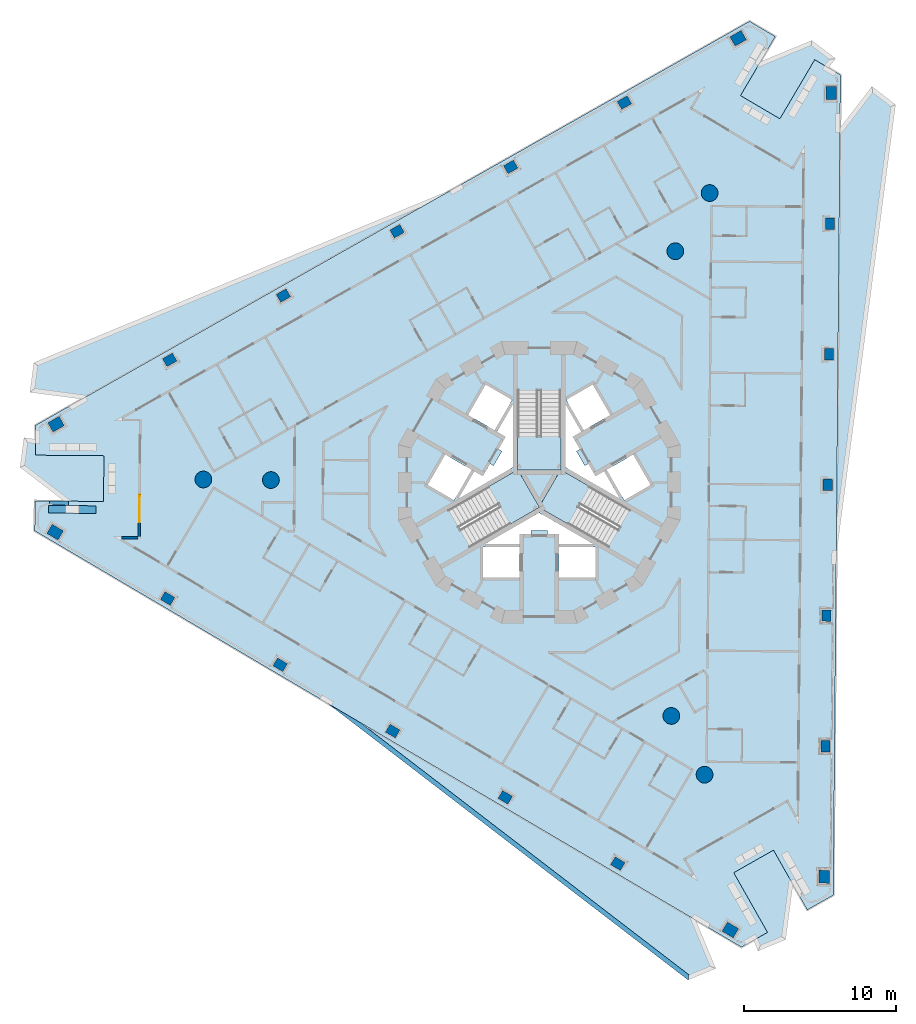
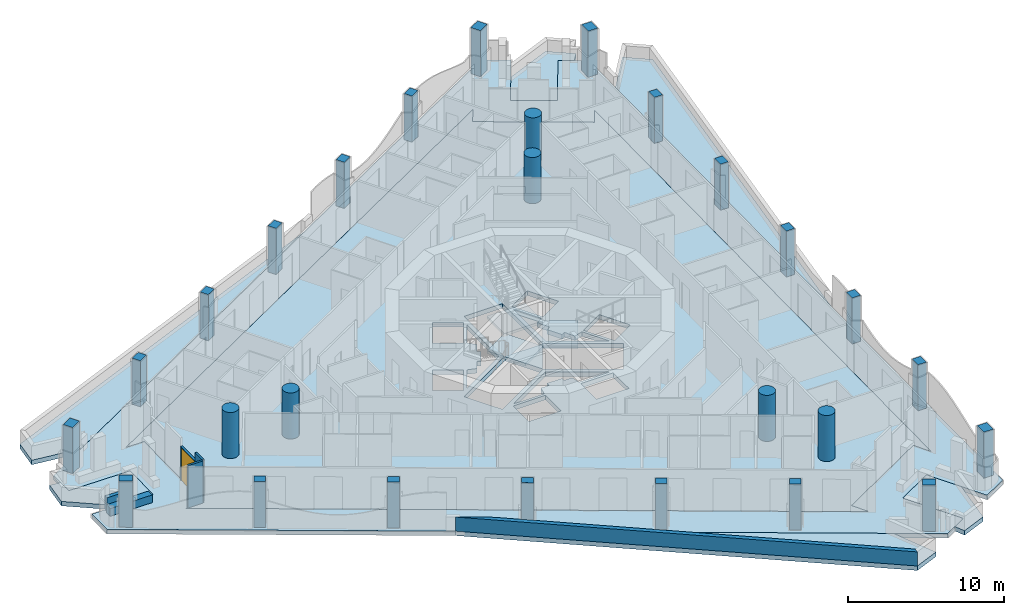
# One storey, part 1 of 18: 27 columns, 12 slabs, 6 walls, 1 door, 1 opening, 3 elements without a shape of their own.
"""IFC4 building model written with IfcOpenShell, lengths in metres."""

from ifc_helpers import new_model, si_unit, direction, frame, frame_2d, origin, origin_2d, place, context, subcontext, project, spatial, polyline, rectangle, circle, outline, extrude, material, layer, layer_set, material_profile, profile_set, type_object, element, fill, aggregate, save


model = new_model("IFC4")

# Units and contexts
model_context = context("Model", 3, precision=1e-05, world=origin(), true_north=direction((0.0, 1.0)))
body_context = subcontext(model_context, "Body", "Model", "MODEL_VIEW")
ifc_project = project(units=[si_unit("LENGTHUNIT", "METRE"), si_unit("AREAUNIT", "SQUARE_METRE"), si_unit("VOLUMEUNIT", "CUBIC_METRE"), si_unit("PLANEANGLEUNIT", "RADIAN"), si_unit("MASSUNIT", "GRAM", prefix="KILO")], contexts=[model_context])

# Site, building, storey
site_placement = place(None, origin())
site = spatial("IfcSite", under=ifc_project, at=site_placement, CompositionType="ELEMENT")
building_placement = place(site_placement, origin())
building = spatial("IfcBuilding", under=site, at=building_placement, Name="Trine Commons Tower", CompositionType="ELEMENT")
storey_placement = place(building_placement, frame((0.0, 0.0, 161.10009765625)))
storey = spatial("IfcBuildingStorey", under=building, at=storey_placement, Name="L41", CompositionType="ELEMENT", Elevation=161.10009765625)

# Columns
ifc_material_1 = material(Name="Concrete C60/75", Category="concrete")
ifc_material_profile_1 = material_profile(ifc_material_1, rectangle(XDim=0.75, YDim=0.60009765625, at=origin_2d()), Name="RC 750x600")
ifc_profile_set_1 = profile_set([ifc_material_profile_1], Name="Concrete C60/75")
column_type_1 = type_object("IfcColumnType", Name="RC column 750x600, C60/75", PredefinedType="COLUMN", material=ifc_profile_set_1)
for number, where, z_axis, x_axis, name in (
    (1, (85.15771484375, 37.483154296875, -0.35009765625), (0.0, 0.0, 1.0), (-0.861629160442, 0.507538362961, 0.0), "Column PC5-02 L41"),
    (2, (77.773193359375, 41.8330078125, -0.35009765625), (0.0, 0.0, 1.0), (-0.861629160442, 0.507538362961, 0.0), "Column PC5-03 L41"),
    (3, (70.388427734375, 46.182861328125, -0.35009765625), (0.0, 0.0, 1.0), (-0.861629160442, 0.507538362961, 0.0), "Column PC5-04 L41"),
    (4, (63.00390625, 50.53271484375, -0.35009765625), (0.0, 0.0, 1.0), (-0.861629160442, 0.507538362961, 0.0), "Column PC5-05 L41"),
    (5, (55.619140625, 54.8828125, -0.35009765625), (0.0, 0.0, 1.0), (-0.861629160442, 0.507538362961, 0.0), "Column PC5-06 L41"),
    (6, (55.755859375, 70.541748046875, -0.35009765625), (0.0, 0.0, 1.0), (0.87035569594, 0.492423560103, 0.0), "Column PC5-09 L41"),
    (7, (63.215087890625, 74.761962890625, -0.35009765625), (0.0, 0.0, 1.0), (0.87035569594, 0.492423560103, 0.0), "Column PC5-10 L41"),
    (8, (70.6748046875, 78.982421875, -0.35009765625), (0.0, 0.0, 1.0), (0.87035569594, 0.492423560103, 0.0), "Column PC5-11 L41"),
    (9, (78.13427734375, 83.202880859375, -0.35009765625), (0.0, 0.0, 1.0), (0.87035569594, 0.492423560103, 0.0), "Column PC5-12 L41"),
    (10, (85.59375, 87.423095703125, -0.35009765625), (0.0, 0.0, 1.0), (0.87035569594, 0.492423560103, 0.0), "Column PC5-13 L41"),
    (11, (99.08642578125, 79.475341796875, -0.35009765625), (0.0, 0.0, 1.0), (0.008726535498, 0.999961923064, 0.0), "Column PC5-16 L41"),
    (12, (99.01171875, 70.905029296875, -0.35009765625), (0.0, 0.0, 1.0), (0.008726535498, 0.999961923064, 0.0), "Column PC5-17 L41"),
    (13, (98.936767578125, 62.334716796875, -0.35009765625), (0.0, 0.0, 1.0), (0.008726535498, 0.999961923064, 0.0), "Column PC5-18 L41"),
    (14, (98.862060546875, 53.764404296875, -0.35009765625), (0.0, 0.0, 1.0), (0.008726535498, 0.999961923064, 0.0), "Column PC5-19 L41"),
    (15, (98.787109375, 45.194091796875, -0.35009765625), (0.0, 0.0, 1.0), (0.008726535498, 0.999961923064, 0.0), "Column PC5-20 L41"),
):
    element("IfcColumn", number, at=place(storey_placement, frame(where, z_axis=z_axis, x_axis=x_axis)), inside=storey, type_object=column_type_1, Name=name, PredefinedType="COLUMN", context=body_context, shape_type="SweptSolid", body=[
        extrude(rectangle(XDim=0.75, YDim=0.60009765625, at=origin_2d()), origin(), (0.0, 0.0, 1.0), 3.949951171875),
    ])
ifc_material_profile_2 = material_profile(ifc_material_1, rectangle(XDim=0.85009765625, YDim=0.699951171875, at=origin_2d()), Name="RC 850x700")
ifc_profile_set_2 = profile_set([ifc_material_profile_2], Name="Concrete C60/75")
column_type_2 = type_object("IfcColumnType", Name="RC column 850x700, C60/75", PredefinedType="COLUMN", material=ifc_profile_set_2)
for number, where, z_axis, x_axis, name in (
    (16, (92.54248046875, 33.133056640625, -0.35009765625), (0.0, 0.0, 1.0), (-0.861629160442, 0.507538362961, 0.0), "Column PC5-01 L41"),
    (17, (48.234375, 59.232666015625, -0.35009765625), (0.0, 0.0, 1.0), (-0.861629160442, 0.507538362961, 0.0), "Column PC5-07 L41"),
    (18, (48.29638671875, 66.3212890625, -0.35009765625), (0.0, 0.0, 1.0), (0.87035569594, 0.492423560103, 0.0), "Column PC5-08 L41"),
    (19, (93.052978515625, 91.6435546875, -0.35009765625), (0.0, 0.0, 1.0), (0.87035569594, 0.492423560103, 0.0), "Column PC5-14 L41"),
    (20, (99.1611328125, 88.045654296875, -0.35009765625), (0.0, 0.0, 1.0), (0.008726535498, 0.999961923064, 0.0), "Column PC5-15 L41"),
    (21, (98.71240234375, 36.623779296875, -0.35009765625), (0.0, 0.0, 1.0), (0.008726535498, 0.999961923064, 0.0), "Column PC5-21 L41"),
):
    element("IfcColumn", number, at=place(storey_placement, frame(where, z_axis=z_axis, x_axis=x_axis)), inside=storey, type_object=column_type_2, Name=name, PredefinedType="COLUMN", context=body_context, shape_type="SweptSolid", body=[
        extrude(rectangle(XDim=0.85009765625, YDim=0.699951171875, at=origin_2d()), origin(), (0.0, 0.0, 1.0), 3.949951171875),
    ])
ifc_material_profile_3 = material_profile(ifc_material_1, circle(Radius=0.550048828125, at=origin_2d()), Name="RC round 1100")
ifc_profile_set_3 = profile_set([ifc_material_profile_3], Name="Concrete C60/75")
column_type_3 = type_object("IfcColumnType", Name="RC round column 1100 mm, C60/75", PredefinedType="COLUMN", material=ifc_profile_set_3)
for number, where, z_axis, x_axis, name in (
    (22, (88.66943359375, 47.177001953125, -0.35009765625), (0.0, 0.0, 1.0), (1.0, 0.0, 0.0), "Column WC5-1 L41"),
    (23, (90.85205078125, 43.319091796875, -0.35009765625), (0.0, 0.0, 1.0), (1.0, 0.0, 0.0), "Column WC5-2 L41"),
    (24, (88.935546875, 77.66943359375, -0.35009765625), (0.0, 0.0, 1.0), (1.0, 0.0, 0.0), "Column WC5-3 L41"),
    (25, (91.185302734375, 81.488525390625, -0.35009765625), (0.0, 0.0, 1.0), (1.0, 0.0, 0.0), "Column WC5-4 L41"),
    (26, (62.39501953125, 62.653564453125, -0.35009765625), (0.0, 0.0, 1.0), (1.0, 0.0, 0.0), "Column WC5-5 L41"),
    (27, (57.962890625, 62.6923828125, -0.35009765625), (0.0, 0.0, 1.0), (1.0, 0.0, 0.0), "Column WC5-6 L41"),
):
    element("IfcColumn", number, at=place(storey_placement, frame(where, z_axis=z_axis, x_axis=x_axis)), inside=storey, type_object=column_type_3, Name=name, PredefinedType="COLUMN", context=body_context, shape_type="SweptSolid", body=[
        extrude(circle(Radius=0.550048828125, at=origin_2d()), origin(), (0.0, 0.0, 1.0), 3.949951171875),
    ])

# Slabs
ifc_material_2 = material(Name="Concrete C40/50", Category="concrete")
ifc_layer_1 = layer(ifc_material_2, 0.35009765625)
ifc_layer_set_1 = layer_set([ifc_layer_1], Name="Concrete C40/50")
slab_type_1 = type_object("IfcSlabType", Name="Loggia slab 350 mm, C40/50", PredefinedType="FLOOR", material=ifc_layer_set_1)
slab_1_placement = place(storey_placement, frame((0.0, 0.0, -0.35009765625)))
element("IfcSlab", 28, at=slab_1_placement, inside=storey, type_object=slab_type_1, Name="Loggia slab L41", PredefinedType="FLOOR", context=body_context, shape_type="SweptSolid", body=[
    extrude(outline(polyline([(99.302001953125, 35.418701171875), (99.771484375, 89.240234375), (98.079345703125, 90.237060546875), (95.79541015625, 86.35986328125), (93.21044921875, 87.88232421875), (95.494384765625, 91.759765625), (93.802001953125, 92.756591796875), (46.956298828125, 66.252685546875), (46.939208984375, 64.28857421875), (51.439208984375, 64.249267578125), (51.412841796875, 61.24951171875), (46.9130859375, 61.288818359375), (46.89599609375, 59.32470703125), (93.27197265625, 32.007080078125), (94.9814453125, 32.974365234375), (92.765380859375, 36.890869140625), (95.376708984375, 38.3681640625), (97.592529296875, 34.45166015625), (99.302001953125, 35.418701171875)]), holes=[polyline([(90.156982421875, 36.627197265625), (89.494873046875, 37.7978515625), (96.28369140625, 41.638916015625), (96.94580078125, 40.46826171875), (97.327880859375, 84.232666015625), (96.645263671875, 83.07373046875), (89.924560546875, 87.03271484375), (90.607177734375, 88.19140625), (52.514892578125, 66.639892578125), (53.860107421875, 66.62841796875), (53.7919921875, 58.82861328125), (52.447021484375, 58.84033203125), (90.156982421875, 36.627197265625)])]), origin(), (0.0, 0.0, 1.0), 0.35009765625),
])
ifc_layer_2 = layer(ifc_material_2, 0.35009765625)
ifc_layer_set_2 = layer_set([ifc_layer_2], Name="Concrete C40/50")
slab_type_2 = type_object("IfcSlabType", Name="PT flat slab 350 mm, C40/50", PredefinedType="FLOOR", material=ifc_layer_set_2)
slab_2_placement = place(storey_placement, frame((0.0, 0.0, -0.35009765625)))
element("IfcSlab", 29, at=slab_2_placement, inside=storey, type_object=slab_type_2, Name="Floor slab L41", PredefinedType="FLOOR", context=body_context, shape_type="SweptSolid", body=[
    extrude(outline(polyline([(52.447021484375, 58.84033203125), (90.156982421875, 36.627197265625), (89.494873046875, 37.7978515625), (96.28369140625, 41.638916015625), (96.94580078125, 40.46826171875), (97.327880859375, 84.232666015625), (96.645263671875, 83.07373046875), (89.924560546875, 87.03271484375), (90.607177734375, 88.19140625), (52.514892578125, 66.639892578125), (53.860107421875, 66.62841796875), (53.7919921875, 58.82861328125), (52.447021484375, 58.84033203125)]), holes=[polyline([(78.699951171875, 56.25), (78.699951171875, 58.25), (76.300048828125, 58.25), (76.300048828125, 56.25), (78.699951171875, 56.25)]), polyline([(80.0, 60.8544921875), (84.4755859375, 58.2705078125), (85.900390625, 60.73876953125), (81.425048828125, 63.32275390625), (81.425048828125, 68.490478515625), (78.574951171875, 68.490478515625), (78.574951171875, 63.32275390625), (74.099609375, 60.73876953125), (75.5244140625, 58.2705078125), (80.0, 60.8544921875)]), polyline([(73.83740234375, 64.325927734375), (72.687255859375, 62.333984375), (74.41943359375, 61.333984375), (75.5693359375, 63.325927734375), (73.83740234375, 64.325927734375)]), polyline([(76.381103515625, 63.031005859375), (75.742919921875, 63.22607421875), (74.7099609375, 61.43798828125), (78.27490234375, 63.49609375), (78.27490234375, 67.612060546875), (77.242919921875, 65.823974609375), (77.73095703125, 65.368896484375), (77.3310546875, 64.676025390625), (77.555908203125, 64.5458984375), (77.006103515625, 63.593994140625), (76.781005859375, 63.722900390625), (76.381103515625, 63.031005859375)]), polyline([(76.4873046875, 68.916015625), (75.33740234375, 66.924072265625), (77.0693359375, 65.924072265625), (78.219482421875, 67.916015625), (76.4873046875, 68.916015625)]), polyline([(83.699951171875, 56.25), (83.699951171875, 58.25), (81.300048828125, 58.25), (81.300048828125, 56.25), (83.699951171875, 56.25)]), polyline([(81.14990234375, 59.10009765625), (81.300048828125, 58.449951171875), (83.56494140625, 58.449951171875), (80.0, 60.508056640625), (76.43505859375, 58.449951171875), (78.699951171875, 58.449951171875), (78.85009765625, 59.10009765625), (79.449951171875, 59.10009765625), (79.449951171875, 59.360107421875), (80.550048828125, 59.360107421875), (80.550048828125, 59.10009765625), (81.14990234375, 59.10009765625)]), polyline([(86.16259765625, 64.325927734375), (84.4306640625, 63.325927734375), (85.58056640625, 61.333984375), (87.312744140625, 62.333984375), (86.16259765625, 64.325927734375)]), polyline([(83.243896484375, 63.738037109375), (82.993896484375, 63.593994140625), (82.444091796875, 64.5458984375), (82.72705078125, 64.7099609375), (82.281005859375, 65.549072265625), (82.757080078125, 65.823974609375), (81.72509765625, 67.612060546875), (81.72509765625, 63.49609375), (85.2900390625, 61.43798828125), (84.257080078125, 63.22607421875), (83.618896484375, 63.031005859375), (83.243896484375, 63.738037109375)]), polyline([(84.66259765625, 66.924072265625), (83.5126953125, 68.916015625), (81.780517578125, 67.916015625), (82.9306640625, 65.924072265625), (84.66259765625, 66.924072265625)])]), origin(), (0.0, 0.0, 1.0), 0.35009765625),
])
slab_3_placement = place(storey_placement, frame((0.0, 0.0, -0.35009765625)))
element("IfcSlab", 30, at=slab_3_placement, inside=storey, type_object=slab_type_2, Name="Floor slab L41 2", PredefinedType="FLOOR", context=body_context, shape_type="SweptSolid", body=[
    extrude(outline(polyline([(78.61328125, 63.300537109375), (80.0, 60.89892578125), (81.38671875, 63.300537109375), (78.61328125, 63.300537109375)])), origin(), (0.0, 0.0, 1.0), 0.35009765625),
])
ifc_layer_3 = layer(ifc_material_2, 0.35009765625)
ifc_layer_set_3 = layer_set([ifc_layer_3], Name="Concrete C40/50")
slab_type_3 = type_object("IfcSlabType", Name="Roof slab 350 mm, C40/50", PredefinedType="ROOF", material=ifc_layer_set_3)
slab_4_placement = place(storey_placement, frame((0.0, 0.0, -0.35009765625)))
element("IfcSlab", 31, at=slab_4_placement, inside=storey, type_object=slab_type_3, Name="Roof slab L41 1", PredefinedType="ROOF", context=body_context, shape_type="SweptSolid", body=[
    extrude(outline(polyline([(48.823486328125, 61.27197265625), (51.412841796875, 61.24951171875), (51.439208984375, 64.249267578125), (46.939208984375, 64.28857421875), (46.948486328125, 65.33837890625), (46.187744140625, 65.4384765625), (45.931396484375, 63.4912109375), (48.823486328125, 61.27197265625)])), origin(), (0.0, 0.0, 1.0), 0.35009765625),
])
slab_5_placement = place(storey_placement, frame((0.0, 0.0, -0.35009765625)))
element("IfcSlab", 32, at=slab_5_placement, inside=storey, type_object=slab_type_3, Name="Roof slab L41 2", PredefinedType="ROOF", context=body_context, shape_type="SweptSolid", body=[
    extrude(outline(polyline([(49.982666015625, 67.96484375), (74.38818359375, 81.772705078125), (46.835693359375, 70.360107421875), (46.579345703125, 68.412841796875), (49.982666015625, 67.96484375)])), origin(), (0.0, 0.0, 1.0), 0.35009765625),
])
slab_6_placement = place(storey_placement, frame((0.0, 0.0, -0.35009765625)))
element("IfcSlab", 33, at=slab_6_placement, inside=storey, type_object=slab_type_3, Name="Roof slab L41 3", PredefinedType="ROOF", context=body_context, shape_type="SweptSolid", body=[
    extrude(outline(polyline([(90.27587890625, 33.77197265625), (66.115234375, 48.003662109375), (89.77490234375, 29.848876953125), (91.589599609375, 30.6005859375), (90.27587890625, 33.77197265625)])), origin(), (0.0, 0.0, 1.0), 0.35009765625),
])
slab_7_placement = place(storey_placement, frame((0.0, 0.0, -0.35009765625)))
element("IfcSlab", 34, at=slab_7_placement, inside=storey, type_object=slab_type_3, Name="Roof slab L41 4", PredefinedType="ROOF", context=body_context, shape_type="SweptSolid", body=[
    extrude(outline(polyline([(96.17578125, 32.500244140625), (96.651611328125, 36.114501953125), (95.376708984375, 38.3681640625), (92.765380859375, 36.890869140625), (94.9814453125, 32.974365234375), (94.067626953125, 32.457275390625), (94.361328125, 31.74853515625), (96.17578125, 32.500244140625)])), origin(), (0.0, 0.0, 1.0), 0.35009765625),
])
slab_8_placement = place(storey_placement, frame((0.0, 0.0, -0.35009765625)))
element("IfcSlab", 35, at=slab_8_placement, inside=storey, type_object=slab_type_3, Name="Roof slab L41 5", PredefinedType="ROOF", context=body_context, shape_type="SweptSolid", body=[
    extrude(outline(polyline([(94.524658203125, 90.113525390625), (93.21044921875, 87.88232421875), (95.79541015625, 86.35986328125), (98.079345703125, 90.237060546875), (98.98388671875, 89.704345703125), (99.450927734375, 90.31298828125), (97.892578125, 91.508544921875), (94.524658203125, 90.113525390625)])), origin(), (0.0, 0.0, 1.0), 0.35009765625),
])
slab_9_placement = place(storey_placement, frame((0.0, 0.0, -0.35009765625)))
element("IfcSlab", 36, at=slab_9_placement, inside=storey, type_object=slab_type_3, Name="Roof slab L41 6", PredefinedType="ROOF", context=body_context, shape_type="SweptSolid", body=[
    extrude(outline(polyline([(99.7412109375, 85.76318359375), (99.49658203125, 57.7236328125), (103.38916015625, 87.291015625), (101.8310546875, 88.48681640625), (99.7412109375, 85.76318359375)])), origin(), (0.0, 0.0, 1.0), 0.35009765625),
])

# Stair, slab
ifc_material_3 = material(Name="Concrete C50/60", Category="concrete")
stair_type = type_object("IfcStairType", Name="Exit stair, dog-leg, 24 risers of 150 mm", PredefinedType="HALF_TURN_STAIR", material=ifc_material_3)
stair_1_placement = place(storey_placement, origin())
stair_1 = element("IfcStair", 37, at=stair_1_placement, inside=storey, type_object=stair_type, Name="L41 Exit stair ST1B", PredefinedType="HALF_TURN_STAIR")
ifc_layer_4 = layer(ifc_material_3, 0.199951171875)
ifc_layer_set_4 = layer_set([ifc_layer_4], Name="Concrete C50/60")
slab_type_4 = type_object("IfcSlabType", Name="Stair landing slab 200 mm, C50/60", PredefinedType="LANDING", material=ifc_layer_set_4)
slab_10_placement = place(storey_placement, frame((0.0, 0.0, 1.599853515625)))
slab_10 = element("IfcSlab", 38, at=slab_10_placement, type_object=slab_type_4, Name="ST1B landing 1", PredefinedType="LANDING", context=body_context, shape_type="SweptSolid", body=[
    extrude(outline(polyline([(78.574951171875, 65.570556640625), (78.574951171875, 63.300537109375), (81.425048828125, 63.300537109375), (81.425048828125, 65.570556640625), (78.574951171875, 65.570556640625)])), origin(), (0.0, 0.0, 1.0), 0.199951171875),
])
aggregate(stair_1, [slab_10])

stair_2_placement = place(storey_placement, origin())
stair_2 = element("IfcStair", 39, at=stair_2_placement, inside=storey, type_object=stair_type, Name="L41 Exit stair ST2B", PredefinedType="HALF_TURN_STAIR")
slab_11_placement = place(storey_placement, frame((0.0, 0.0, 1.599853515625)))
slab_11 = element("IfcSlab", 40, at=slab_11_placement, type_object=slab_type_4, Name="ST2B landing 1", PredefinedType="LANDING", context=body_context, shape_type="SweptSolid", body=[
    extrude(outline(polyline([(78.05322265625, 59.730712890625), (80.019287109375, 60.86572265625), (78.59423828125, 63.333740234375), (76.628173828125, 62.19873046875), (78.05322265625, 59.730712890625)])), origin(), (0.0, 0.0, 1.0), 0.199951171875),
])
aggregate(stair_2, [slab_11])

stair_3_placement = place(storey_placement, origin())
stair_3 = element("IfcStair", 41, at=stair_3_placement, inside=storey, type_object=stair_type, Name="L41 Exit stair ST3B", PredefinedType="HALF_TURN_STAIR")
slab_12_placement = place(storey_placement, frame((0.0, 0.0, 1.599853515625)))
slab_12 = element("IfcSlab", 42, at=slab_12_placement, type_object=slab_type_4, Name="ST3B landing 1", PredefinedType="LANDING", context=body_context, shape_type="SweptSolid", body=[
    extrude(outline(polyline([(83.371826171875, 62.19873046875), (81.40576171875, 63.333740234375), (79.980712890625, 60.86572265625), (81.94677734375, 59.730712890625), (83.371826171875, 62.19873046875)])), origin(), (0.0, 0.0, 1.0), 0.199951171875),
])
aggregate(stair_3, [slab_12])

# Walls
ifc_material_4 = material(Name="Aluminium-framed insulated wall panel", Category="aluminium")
ifc_layer_5 = layer(ifc_material_4, 0.14990234375)
ifc_layer_set_5 = layer_set([ifc_layer_5], Name="Aluminium-framed insulated wall panel")
wall_type_1 = type_object("IfcWallType", Name="Glazed frame wall 150, EI 60", PredefinedType="SOLIDWALL", material=ifc_layer_set_5)
wall_1_placement = place(storey_placement, frame((52.447265625, 58.875244140625, 0.0), z_axis=(0.0, 0.0, 1.0), x_axis=(0.999962043845, -0.008712684354, 0.0)))
element("IfcWall", 43, at=wall_1_placement, inside=storey, type_object=wall_type_1, Name="Glazed frame wall R1", PredefinedType="SOLIDWALL", context=body_context, shape_type="SweptSolid", body=[
    extrude(outline(polyline([(0.1494140625, 0.074951171875), (0.1494140625, -0.074951171875), (1.235107421875, -0.074951171875), (1.235107421875, 0.074951171875), (0.1494140625, 0.074951171875)])), origin(), (0.0, 0.0, 1.0), 3.2998046875),
])
wall_2_placement = place(storey_placement, frame((53.7568359375, 58.828857421875, 0.0), z_axis=(0.0, 0.0, 1.0), x_axis=(0.008788723053, 0.999961378428, 0.0)))
element("IfcWall", 44, at=wall_2_placement, inside=storey, type_object=wall_type_1, Name="Glazed frame wall P1.1", PredefinedType="SOLIDWALL", context=body_context, shape_type="SweptSolid", body=[
    extrude(outline(polyline([(0.110107421875, -0.074951171875), (1.0, -0.074951171875), (1.0, 0.074951171875), (0.110107421875, 0.074951171875), (0.110107421875, -0.074951171875)])), origin(), (0.0, 0.0, 1.0), 3.2998046875),
])

# Wall, opening, door
wall_3_placement = place(storey_placement, frame((53.765625, 59.828857421875, 0.0), z_axis=(0.0, 0.0, 1.0), x_axis=(0.008737780017, 0.999961824872, 0.0)))
wall_3 = element("IfcWall", 45, at=wall_3_placement, inside=storey, type_object=wall_type_1, Name="Glazed frame wall P1.2", PredefinedType="SOLIDWALL", context=body_context, shape_type="SweptSolid", body=[
    extrude(outline(polyline([(0.0, -0.074951171875), (1.89990234375, -0.074951171875), (1.89990234375, 0.074951171875), (0.0, 0.074951171875), (0.0, -0.074951171875)])), origin(), (0.0, 0.0, 1.0), 2.64990234375),
])
opening_placement = place(wall_3_placement, frame((0.050048828125, 0.0, 0.0)))
opening = element("IfcOpeningElement", 46, at=opening_placement, cuts=wall_3, Name="Opening BD-5P1-01", PredefinedType="OPENING", context=body_context, shape_type="SweptSolid", body=[
    extrude(rectangle(XDim=1.800048828125, YDim=2.60009765625, at=frame_2d((0.89990234375, 1.300048828125))), frame((0.0, 0.0849609375, 0.0), z_axis=(0.0, -1.0, 0.0), x_axis=(1.0, 0.0, 0.0)), (0.0, 0.0, 1.0), 0.169921875),
])
ifc_material_5 = material(Name="Anodised aluminium frame with double glazing", Category="aluminium")
door_type = type_object("IfcDoorType", Name="Sliding loggia door 1800x2600", OperationType="SLIDING_TO_LEFT", PredefinedType="DOOR", material=ifc_material_5)
door_placement = place(opening_placement, origin())
door = element("IfcDoor", 47, at=door_placement, inside=storey, type_object=door_type, Name="Loggia door P1 1", OperationType="SLIDING_TO_LEFT", OverallHeight=2.60009765625, OverallWidth=1.800048828125, PredefinedType="DOOR", context=body_context, shape_type="SweptSolid", body=[
    extrude(rectangle(XDim=1.800048828125, YDim=2.60009765625, at=frame_2d((0.89990234375, 1.300048828125))), frame((0.0, 0.02490234375, 0.0), z_axis=(0.0, -1.0, 0.0), x_axis=(1.0, 0.0, 0.0)), (0.0, 0.0, 1.0), 0.050048828125),
])
fill(opening, door)

# Walls
ifc_material_6 = material(Name="Planter trough, precast concrete C40/50", Category="concrete")
ifc_layer_6 = layer(ifc_material_6, 0.5)
ifc_layer_set_6 = layer_set([ifc_layer_6], Name="Planter trough, precast concrete C40/50")
wall_type_2 = type_object("IfcWallType", Name="Planter trough 500x600", PredefinedType="PARAPET", material=ifc_layer_set_6)
wall_4_placement = place(storey_placement, frame((47.808349609375, 60.74072265625, 0.0), z_axis=(0.0, 0.0, 1.0), x_axis=(0.99996247431, -0.008663138708, 0.0)))
element("IfcWall", 48, at=wall_4_placement, inside=storey, type_object=wall_type_2, Name="Planter 1", PredefinedType="PARAPET", context=body_context, shape_type="SweptSolid", body=[
    extrude(rectangle(XDim=3.099853515625, YDim=0.5, at=frame_2d((1.5498046875, 0.0))), origin(), (0.0, 0.0, 1.0), 0.599853515625),
])
ifc_material_7 = material(Name="Limestone, honed", Category="masonry")
ifc_layer_7 = layer(ifc_material_7, 0.300048828125)
ifc_layer_set_7 = layer_set([ifc_layer_7], Name="Limestone, honed")
wall_type_3 = type_object("IfcWallType", Name="Stone parapet 300", PredefinedType="PARAPET", material=ifc_layer_set_7)
wall_5_placement = place(storey_placement, origin())
element("IfcWall", 49, at=wall_5_placement, inside=storey, type_object=wall_type_3, Name="Sliver roof parapet extension L40 1.X2", PredefinedType="PARAPET", context=body_context, shape_type="SweptSolid", body=[
    extrude(outline(polyline([(49.12109375, 60.99951171875), (49.12353515625, 61.269287109375), (47.87353515625, 61.2802734375), (47.871337890625, 61.01025390625), (49.12109375, 60.99951171875)])), origin(), (0.0, 0.0, 1.0), 1.099853515625),
])
wall_6_placement = place(storey_placement, origin())
element("IfcWall", 50, at=wall_6_placement, inside=storey, type_object=wall_type_3, Name="Sliver roof parapet L40 3.1", PredefinedType="PARAPET", context=body_context, shape_type="SweptSolid", body=[
    extrude(outline(polyline([(66.115234375, 48.003662109375), (89.77490234375, 29.848876953125), (89.8203125, 30.1923828125), (68.236328125, 46.754150390625), (66.115234375, 48.003662109375)])), origin(), (0.0, 0.0, 1.0), 1.099853515625),
])

save(model, "model.ifc")
